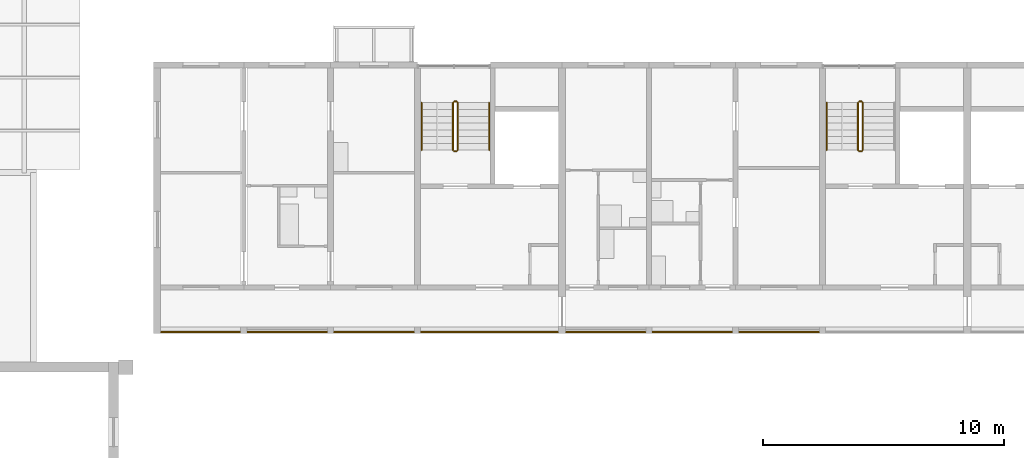
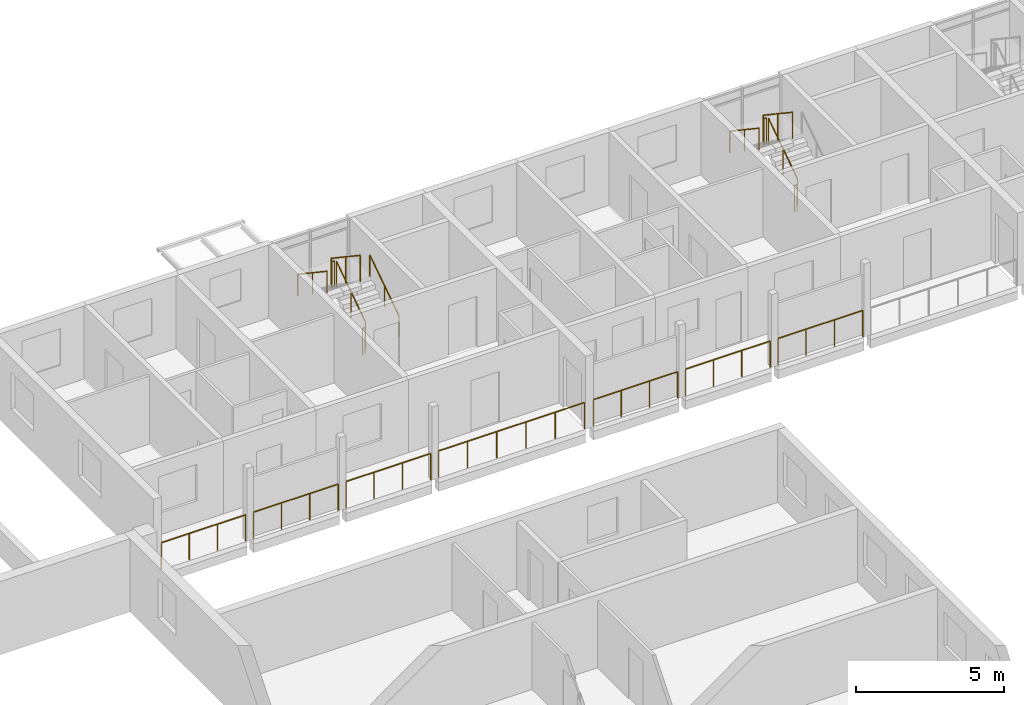
# One storey, part 117 of 122: 18 railings.
"""IFC4 building model written with IfcOpenShell, lengths in metres."""

from ifc_helpers import new_model, si_unit, direction, frame, origin, origin_2d, place, context, subcontext, project, spatial, circle, extrude, material, type_object, element, save


model = new_model("IFC4")

# Units and contexts
model_context = context("Model", 3, precision=1e-05, world=origin(), true_north=direction((0.0, 1.0)))
body_context = subcontext(model_context, "Body", "Model", "MODEL_VIEW")
ifc_project = project(units=[si_unit("LENGTHUNIT", "METRE"), si_unit("AREAUNIT", "SQUARE_METRE"), si_unit("VOLUMEUNIT", "CUBIC_METRE"), si_unit("PLANEANGLEUNIT", "RADIAN"), si_unit("MASSUNIT", "GRAM", prefix="KILO")], contexts=[model_context])

# Site, building, storey
site_placement = place(None, origin())
site = spatial("IfcSite", under=ifc_project, at=site_placement, CompositionType="ELEMENT")
building_placement = place(site_placement, origin())
building = spatial("IfcBuilding", under=site, at=building_placement, Name="Ridgestep Commons", CompositionType="ELEMENT")
storey_placement = place(building_placement, frame((0.0, 0.0, 3.0)))
storey = spatial("IfcBuildingStorey", under=building, at=storey_placement, Name="L01", CompositionType="ELEMENT", Elevation=3.0)

# Railings
ifc_material_1 = material(Name="Structural steel S355JR", Category="steel")
railing_type_1 = type_object("IfcRailingType", Name="Guard 1100", PredefinedType="GUARDRAIL", material=ifc_material_1)
railing_1_placement = place(storey_placement, frame((146.970947265625, 66.050048828125, 0.0)))
element("IfcRailing", 1, at=railing_1_placement, inside=storey, type_object=railing_type_1, Name="Gallery guard C 01.1", PredefinedType="GUARDRAIL", context=body_context, shape_type="SweptSolid", body=[
    extrude(circle(Radius=0.02392578125, at=origin_2d()), frame((0.0, 0.0, 1.076171875), z_axis=(1.0, 0.0, 0.0), x_axis=(0.0, 1.0, 0.0)), (0.0, 0.0, 1.0), 3.282958984375),
    extrude(circle(Radius=0.02099609375, at=origin_2d()), origin(), (0.0, 0.0, 1.0), 1.052001953125),
    extrude(circle(Radius=0.02099609375, at=origin_2d()), frame((1.09423828125, 0.0, 0.0)), (0.0, 0.0, 1.0), 1.052001953125),
    extrude(circle(Radius=0.02099609375, at=origin_2d()), frame((2.188720703125, 0.0, 0.0)), (0.0, 0.0, 1.0), 1.052001953125),
    extrude(circle(Radius=0.02099609375, at=origin_2d()), frame((3.282958984375, 0.0, 0.0)), (0.0, 0.0, 1.0), 1.052001953125),
])
for number, where, name in (
    (2, (150.5458984375, 66.050048828125, 0.0), "Gallery guard C 01.2"),
    (3, (154.14599609375, 66.050048828125, 0.0), "Gallery guard C 01.3"),
):
    element("IfcRailing", number, at=place(storey_placement, frame(where)), inside=storey, type_object=railing_type_1, Name=name, PredefinedType="GUARDRAIL", context=body_context, shape_type="SweptSolid", body=[
        extrude(circle(Radius=0.02392578125, at=origin_2d()), frame((0.0, 0.0, 1.076171875), z_axis=(1.0, 0.0, 0.0), x_axis=(0.0, 1.0, 0.0)), (0.0, 0.0, 1.0), 3.30810546875),
        extrude(circle(Radius=0.02099609375, at=origin_2d()), origin(), (0.0, 0.0, 1.0), 1.052001953125),
        extrude(circle(Radius=0.02099609375, at=origin_2d()), frame((1.102783203125, 0.0, 0.0)), (0.0, 0.0, 1.0), 1.052001953125),
        extrude(circle(Radius=0.02099609375, at=origin_2d()), frame((2.205322265625, 0.0, 0.0)), (0.0, 0.0, 1.0), 1.052001953125),
        extrude(circle(Radius=0.02099609375, at=origin_2d()), frame((3.30810546875, 0.0, 0.0)), (0.0, 0.0, 1.0), 1.052001953125),
    ])
railing_2_placement = place(storey_placement, frame((157.74609375, 66.050048828125, 0.0)))
element("IfcRailing", 4, at=railing_2_placement, inside=storey, type_object=railing_type_1, Name="Gallery guard C 01.4", PredefinedType="GUARDRAIL", context=body_context, shape_type="SweptSolid", body=[
    extrude(circle(Radius=0.02392578125, at=origin_2d()), frame((0.0, 0.0, 1.076171875), z_axis=(1.0, 0.0, 0.0), x_axis=(0.0, 1.0, 0.0)), (0.0, 0.0, 1.0), 5.682861328125),
    extrude(circle(Radius=0.02099609375, at=origin_2d()), origin(), (0.0, 0.0, 1.0), 1.052001953125),
    extrude(circle(Radius=0.02099609375, at=origin_2d()), frame((1.136474609375, 0.0, 0.0)), (0.0, 0.0, 1.0), 1.052001953125),
    extrude(circle(Radius=0.02099609375, at=origin_2d()), frame((2.273193359375, 0.0, 0.0)), (0.0, 0.0, 1.0), 1.052001953125),
    extrude(circle(Radius=0.02099609375, at=origin_2d()), frame((3.40966796875, 0.0, 0.0)), (0.0, 0.0, 1.0), 1.052001953125),
    extrude(circle(Radius=0.02099609375, at=origin_2d()), frame((4.54638671875, 0.0, 0.0)), (0.0, 0.0, 1.0), 1.052001953125),
    extrude(circle(Radius=0.02099609375, at=origin_2d()), frame((5.682861328125, 0.0, 0.0)), (0.0, 0.0, 1.0), 1.052001953125),
])
railing_3_placement = place(storey_placement, frame((163.77099609375, 66.050048828125, 0.0)))
element("IfcRailing", 5, at=railing_3_placement, inside=storey, type_object=railing_type_1, Name="Gallery guard C 01.5", PredefinedType="GUARDRAIL", context=body_context, shape_type="SweptSolid", body=[
    extrude(circle(Radius=0.02392578125, at=origin_2d()), frame((0.0, 0.0, 1.076171875), z_axis=(1.0, 0.0, 0.0), x_axis=(0.0, 1.0, 0.0)), (0.0, 0.0, 1.0), 3.282958984375),
    extrude(circle(Radius=0.02099609375, at=origin_2d()), origin(), (0.0, 0.0, 1.0), 1.052001953125),
    extrude(circle(Radius=0.02099609375, at=origin_2d()), frame((1.09423828125, 0.0, 0.0)), (0.0, 0.0, 1.0), 1.052001953125),
    extrude(circle(Radius=0.02099609375, at=origin_2d()), frame((2.188720703125, 0.0, 0.0)), (0.0, 0.0, 1.0), 1.052001953125),
    extrude(circle(Radius=0.02099609375, at=origin_2d()), frame((3.282958984375, 0.0, 0.0)), (0.0, 0.0, 1.0), 1.052001953125),
])
railing_4_placement = place(storey_placement, frame((167.345947265625, 66.050048828125, 0.0)))
element("IfcRailing", 6, at=railing_4_placement, inside=storey, type_object=railing_type_1, Name="Gallery guard C 01.6", PredefinedType="GUARDRAIL", context=body_context, shape_type="SweptSolid", body=[
    extrude(circle(Radius=0.02392578125, at=origin_2d()), frame((0.0, 0.0, 1.076171875), z_axis=(1.0, 0.0, 0.0), x_axis=(0.0, 1.0, 0.0)), (0.0, 0.0, 1.0), 3.30810546875),
    extrude(circle(Radius=0.02099609375, at=origin_2d()), origin(), (0.0, 0.0, 1.0), 1.052001953125),
    extrude(circle(Radius=0.02099609375, at=origin_2d()), frame((1.102783203125, 0.0, 0.0)), (0.0, 0.0, 1.0), 1.052001953125),
    extrude(circle(Radius=0.02099609375, at=origin_2d()), frame((2.205322265625, 0.0, 0.0)), (0.0, 0.0, 1.0), 1.052001953125),
    extrude(circle(Radius=0.02099609375, at=origin_2d()), frame((3.30810546875, 0.0, 0.0)), (0.0, 0.0, 1.0), 1.052001953125),
])
railing_5_placement = place(storey_placement, frame((170.946044921875, 66.050048828125, 0.0)))
element("IfcRailing", 7, at=railing_5_placement, inside=storey, type_object=railing_type_1, Name="Gallery guard C 01.7", PredefinedType="GUARDRAIL", context=body_context, shape_type="SweptSolid", body=[
    extrude(circle(Radius=0.02392578125, at=origin_2d()), frame((0.0, 0.0, 1.076171875), z_axis=(1.0, 0.0, 0.0), x_axis=(0.0, 1.0, 0.0)), (0.0, 0.0, 1.0), 3.307861328125),
    extrude(circle(Radius=0.02099609375, at=origin_2d()), origin(), (0.0, 0.0, 1.0), 1.052001953125),
    extrude(circle(Radius=0.02099609375, at=origin_2d()), frame((1.1025390625, 0.0, 0.0)), (0.0, 0.0, 1.0), 1.052001953125),
    extrude(circle(Radius=0.02099609375, at=origin_2d()), frame((2.205322265625, 0.0, 0.0)), (0.0, 0.0, 1.0), 1.052001953125),
    extrude(circle(Radius=0.02099609375, at=origin_2d()), frame((3.307861328125, 0.0, 0.0)), (0.0, 0.0, 1.0), 1.052001953125),
])
ifc_material_2 = material(Name="Structural steel S355JR", Category="steel")
railing_type_2 = type_object("IfcRailingType", Name="Stair guard 1100", PredefinedType="GUARDRAIL", material=ifc_material_2)
railing_6_placement = place(storey_placement, frame((159.27490234375, 73.60009765625, 0.1875)))
element("IfcRailing", 8, at=railing_6_placement, inside=storey, type_object=railing_type_2, Name="L01 C1C stair guard 1", PredefinedType="GUARDRAIL", context=body_context, shape_type="SweptSolid", body=[
    extrude(circle(Radius=0.02392578125, at=origin_2d()), frame((0.0, 0.0, 1.076171875), z_axis=(0.0, 0.830902050051, 0.556418712142), x_axis=(-1.0, 0.0, 0.0)), (0.0, 0.0, 1.0), 2.35888671875),
    extrude(circle(Radius=0.02099609375, at=origin_2d()), origin(), (0.0, 0.0, 1.0), 1.052001953125),
    extrude(circle(Radius=0.02099609375, at=origin_2d()), frame((0.0, 0.97998046875, 0.65625)), (0.0, 0.0, 1.0), 1.052001953125),
    extrude(circle(Radius=0.02099609375, at=origin_2d()), frame((0.0, 1.9599609375, 1.3125)), (0.0, 0.0, 1.0), 1.052001953125),
])
railing_7_placement = place(storey_placement, frame((159.22509765625, 75.610107421875, 1.5)))
element("IfcRailing", 9, at=railing_7_placement, inside=storey, type_object=railing_type_2, Name="L01 C1C stair guard 2", PredefinedType="GUARDRAIL", context=body_context, shape_type="SweptSolid", body=[
    extrude(circle(Radius=0.02392578125, at=origin_2d()), frame((0.0, 0.0, 1.076171875), z_axis=(-1.0, 0.0, 0.0), x_axis=(0.0, -1.0, 0.0)), (0.0, 0.0, 1.0), 0.10009765625),
    extrude(circle(Radius=0.02099609375, at=origin_2d()), origin(), (0.0, 0.0, 1.0), 1.052001953125),
    extrude(circle(Radius=0.02099609375, at=origin_2d()), frame((-0.10009765625, 0.0, 0.0)), (0.0, 0.0, 1.0), 1.052001953125),
])
railing_8_placement = place(storey_placement, frame((159.074951171875, 75.56005859375, 1.6875)))
element("IfcRailing", 10, at=railing_8_placement, inside=storey, type_object=railing_type_2, Name="L01 C1C stair guard 3", PredefinedType="GUARDRAIL", context=body_context, shape_type="SweptSolid", body=[
    extrude(circle(Radius=0.02392578125, at=origin_2d()), frame((0.0, 0.0, 1.076171875), z_axis=(0.0, -0.830902050051, 0.556418712142), x_axis=(1.0, 0.0, 0.0)), (0.0, 0.0, 1.0), 2.35888671875),
    extrude(circle(Radius=0.02099609375, at=origin_2d()), origin(), (0.0, 0.0, 1.0), 1.052001953125),
    extrude(circle(Radius=0.02099609375, at=origin_2d()), frame((0.0, -0.97998046875, 0.65625)), (0.0, 0.0, 1.0), 1.052001953125),
    extrude(circle(Radius=0.02099609375, at=origin_2d()), frame((0.0, -1.9599609375, 1.3125)), (0.0, 0.0, 1.0), 1.052001953125),
])
railing_9_placement = place(storey_placement, frame((159.22509765625, 73.550048828125, 0.0)))
element("IfcRailing", 11, at=railing_9_placement, inside=storey, type_object=railing_type_2, Name="L01 C1C stair guard 4", PredefinedType="GUARDRAIL", context=body_context, shape_type="SweptSolid", body=[
    extrude(circle(Radius=0.02392578125, at=origin_2d()), frame((0.0, 0.0, 1.076171875), z_axis=(-1.0, 0.0, 0.0), x_axis=(0.0, -1.0, 0.0)), (0.0, 0.0, 1.0), 0.10009765625),
    extrude(circle(Radius=0.02099609375, at=origin_2d()), origin(), (0.0, 0.0, 1.0), 1.052001953125),
    extrude(circle(Radius=0.02099609375, at=origin_2d()), frame((-0.10009765625, 0.0, 0.0)), (0.0, 0.0, 1.0), 1.052001953125),
])
railing_10_placement = place(storey_placement, frame((176.074951171875, 73.60009765625, 0.1875)))
element("IfcRailing", 12, at=railing_10_placement, inside=storey, type_object=railing_type_2, Name="L01 C2C stair guard 1", PredefinedType="GUARDRAIL", context=body_context, shape_type="SweptSolid", body=[
    extrude(circle(Radius=0.02392578125, at=origin_2d()), frame((0.0, 0.0, 1.076171875), z_axis=(0.0, 0.830902050051, 0.556418712142), x_axis=(-1.0, 0.0, 0.0)), (0.0, 0.0, 1.0), 2.35888671875),
    extrude(circle(Radius=0.02099609375, at=origin_2d()), origin(), (0.0, 0.0, 1.0), 1.052001953125),
    extrude(circle(Radius=0.02099609375, at=origin_2d()), frame((0.0, 0.97998046875, 0.65625)), (0.0, 0.0, 1.0), 1.052001953125),
    extrude(circle(Radius=0.02099609375, at=origin_2d()), frame((0.0, 1.9599609375, 1.3125)), (0.0, 0.0, 1.0), 1.052001953125),
])
railing_11_placement = place(storey_placement, frame((176.02490234375, 75.610107421875, 1.5)))
element("IfcRailing", 13, at=railing_11_placement, inside=storey, type_object=railing_type_2, Name="L01 C2C stair guard 2", PredefinedType="GUARDRAIL", context=body_context, shape_type="SweptSolid", body=[
    extrude(circle(Radius=0.02392578125, at=origin_2d()), frame((0.0, 0.0, 1.076171875), z_axis=(-1.0, 0.0, 0.0), x_axis=(0.0, -1.0, 0.0)), (0.0, 0.0, 1.0), 0.099853515625),
    extrude(circle(Radius=0.02099609375, at=origin_2d()), origin(), (0.0, 0.0, 1.0), 1.052001953125),
    extrude(circle(Radius=0.02099609375, at=origin_2d()), frame((-0.099853515625, 0.0, 0.0)), (0.0, 0.0, 1.0), 1.052001953125),
])
railing_12_placement = place(storey_placement, frame((175.875, 75.56005859375, 1.6875)))
element("IfcRailing", 14, at=railing_12_placement, inside=storey, type_object=railing_type_2, Name="L01 C2C stair guard 3", PredefinedType="GUARDRAIL", context=body_context, shape_type="SweptSolid", body=[
    extrude(circle(Radius=0.02392578125, at=origin_2d()), frame((0.0, 0.0, 1.076171875), z_axis=(0.0, -0.830902050051, 0.556418712142), x_axis=(1.0, 0.0, 0.0)), (0.0, 0.0, 1.0), 2.35888671875),
    extrude(circle(Radius=0.02099609375, at=origin_2d()), origin(), (0.0, 0.0, 1.0), 1.052001953125),
    extrude(circle(Radius=0.02099609375, at=origin_2d()), frame((0.0, -0.97998046875, 0.65625)), (0.0, 0.0, 1.0), 1.052001953125),
    extrude(circle(Radius=0.02099609375, at=origin_2d()), frame((0.0, -1.9599609375, 1.3125)), (0.0, 0.0, 1.0), 1.052001953125),
])
railing_13_placement = place(storey_placement, frame((176.02490234375, 73.550048828125, 0.0)))
element("IfcRailing", 15, at=railing_13_placement, inside=storey, type_object=railing_type_2, Name="L01 C2C stair guard 4", PredefinedType="GUARDRAIL", context=body_context, shape_type="SweptSolid", body=[
    extrude(circle(Radius=0.02392578125, at=origin_2d()), frame((0.0, 0.0, 1.076171875), z_axis=(-1.0, 0.0, 0.0), x_axis=(0.0, -1.0, 0.0)), (0.0, 0.0, 1.0), 0.099853515625),
    extrude(circle(Radius=0.02099609375, at=origin_2d()), origin(), (0.0, 0.0, 1.0), 1.052001953125),
    extrude(circle(Radius=0.02099609375, at=origin_2d()), frame((-0.099853515625, 0.0, 0.0)), (0.0, 0.0, 1.0), 1.052001953125),
])
ifc_material_3 = material(Name="Structural steel S355JR", Category="steel")
railing_type_3 = type_object("IfcRailingType", Name="Stair handrail 900", PredefinedType="HANDRAIL", material=ifc_material_3)
railing_14_placement = place(storey_placement, frame((160.574951171875, 73.60009765625, 0.1875)))
element("IfcRailing", 16, at=railing_14_placement, inside=storey, type_object=railing_type_3, Name="L01 C1C stair handrail 1", PredefinedType="HANDRAIL", context=body_context, shape_type="SweptSolid", body=[
    extrude(circle(Radius=0.02392578125, at=origin_2d()), frame((0.0, 0.0, 0.8759765625), z_axis=(0.0, 0.830902050051, 0.556418712142), x_axis=(-1.0, 0.0, 0.0)), (0.0, 0.0, 1.0), 2.35888671875),
    extrude(circle(Radius=0.02099609375, at=origin_2d()), origin(), (0.0, 0.0, 1.0), 0.851806640625),
    extrude(circle(Radius=0.02099609375, at=origin_2d()), frame((0.0, 0.97998046875, 0.65625)), (0.0, 0.0, 1.0), 0.851806640625),
    extrude(circle(Radius=0.02099609375, at=origin_2d()), frame((0.0, 1.9599609375, 1.3125)), (0.0, 0.0, 1.0), 0.851806640625),
])
for number, where, name in (
    (17, (157.77490234375, 75.56005859375, 1.6875), "L01 C1C stair handrail 2"),
    (18, (174.574951171875, 75.56005859375, 1.6875), "L01 C2C stair handrail 2"),
):
    element("IfcRailing", number, at=place(storey_placement, frame(where)), inside=storey, type_object=railing_type_3, Name=name, PredefinedType="HANDRAIL", context=body_context, shape_type="SweptSolid", body=[
        extrude(circle(Radius=0.02392578125, at=origin_2d()), frame((0.0, 0.0, 0.8759765625), z_axis=(0.0, -0.830902050051, 0.556418712142), x_axis=(1.0, 0.0, 0.0)), (0.0, 0.0, 1.0), 2.35888671875),
        extrude(circle(Radius=0.02099609375, at=origin_2d()), origin(), (0.0, 0.0, 1.0), 0.851806640625),
        extrude(circle(Radius=0.02099609375, at=origin_2d()), frame((0.0, -0.97998046875, 0.65625)), (0.0, 0.0, 1.0), 0.851806640625),
        extrude(circle(Radius=0.02099609375, at=origin_2d()), frame((0.0, -1.9599609375, 1.3125)), (0.0, 0.0, 1.0), 0.851806640625),
    ])

save(model, "model.ifc")
